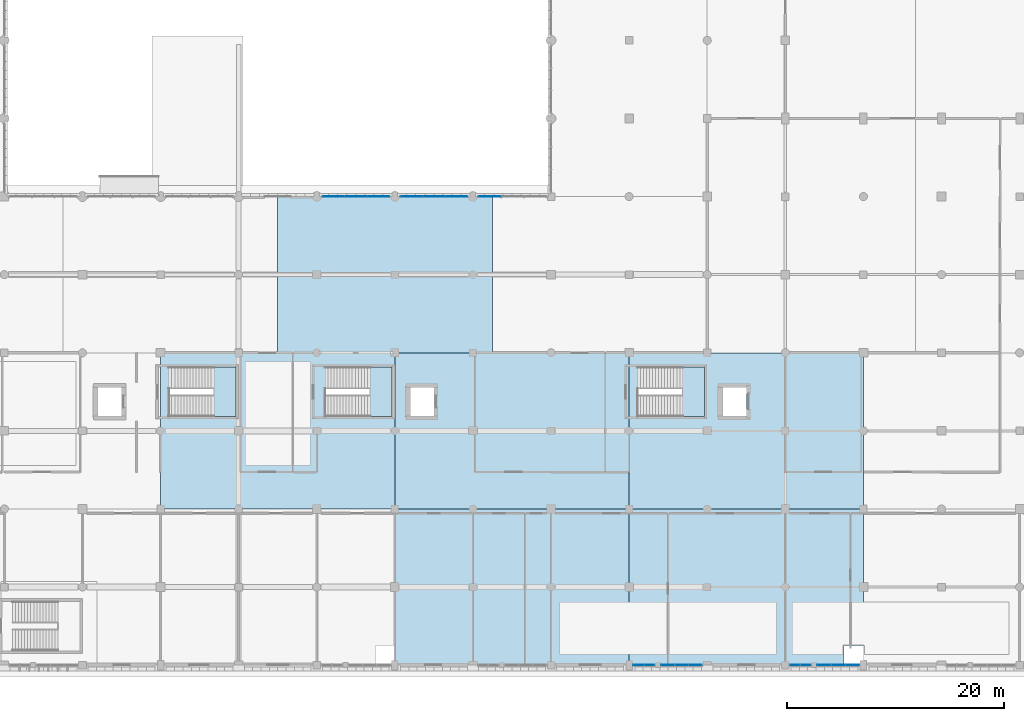
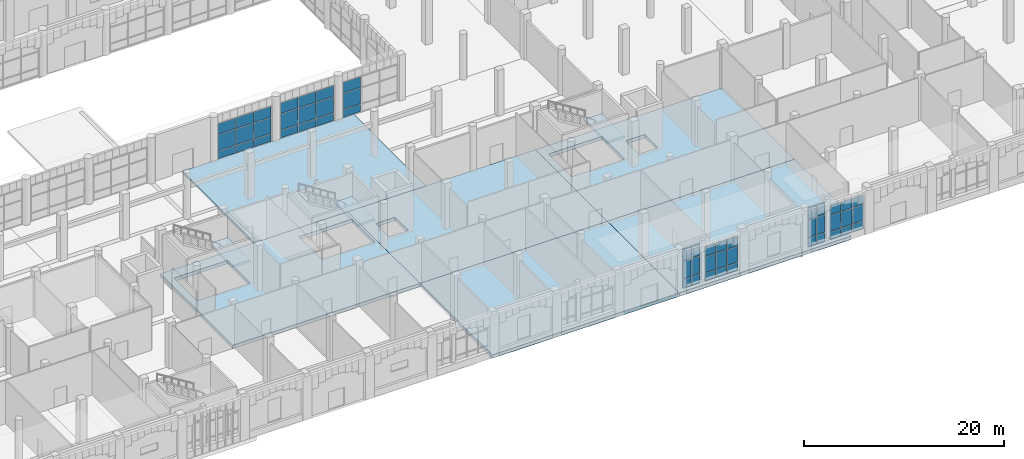
# One storey, part 40 of 85: 51 plates, 9 slabs, 10 elements without a shape of their own.
"""IFC4 building model written with IfcOpenShell, lengths in metres."""

from ifc_helpers import new_model, si_unit, direction, frame, origin, origin_2d, place, context, subcontext, project, spatial, polyline, rectangle, outline, extrude, material, layer, layer_set, type_object, element, aggregate, save


model = new_model("IFC4")

# Units and contexts
model_context = context("Model", 3, precision=1e-05, world=origin(), true_north=direction((0.0, 1.0)))
body_context = subcontext(model_context, "Body", "Model", "MODEL_VIEW")
ifc_project = project(units=[si_unit("LENGTHUNIT", "METRE"), si_unit("AREAUNIT", "SQUARE_METRE"), si_unit("VOLUMEUNIT", "CUBIC_METRE"), si_unit("PLANEANGLEUNIT", "RADIAN"), si_unit("MASSUNIT", "GRAM", prefix="KILO")], contexts=[model_context])

# Site, building, storey
site_placement = place(None, origin())
site = spatial("IfcSite", under=ifc_project, at=site_placement, CompositionType="ELEMENT")
building_placement = place(site_placement, origin())
building = spatial("IfcBuilding", under=site, at=building_placement, Name="Sardonyx Promenade Sports Hall", CompositionType="ELEMENT")
storey_placement = place(building_placement, origin())
storey = spatial("IfcBuildingStorey", under=building, at=storey_placement, Name="L00", CompositionType="ELEMENT", Elevation=0.0)

# Curtain wall, plates
ifc_material_1 = material(Name="Aluminium 6063-T6", Category="aluminium")
curtain_wall_type_1 = type_object("IfcCurtainWallType", Name="CW_South_L00_640", PredefinedType="USERDEFINED", material=ifc_material_1)
curtain_wall_1_placement = place(storey_placement, origin())
curtain_wall_1 = element("IfcCurtainWall", 1, at=curtain_wall_1_placement, inside=storey, type_object=curtain_wall_type_1, Name="Curtain wall CW11 cw:L00:005", ObjectType="CURTAIN WALL", PredefinedType="USERDEFINED")
ifc_material_2 = material(Name="Double-glazed acoustic IGU 32 mm", Category="glass")
ifc_layer_1 = layer(ifc_material_2, 0.031982421875)
ifc_layer_set_1 = layer_set([ifc_layer_1], Name="CW_Pan_Glz_32")
plate_type_1 = type_object("IfcPlateType", Name="CW_Pan_Glz_32", PredefinedType="CURTAIN_PANEL", material=ifc_layer_set_1)
plate_1_placement = place(storey_placement, frame((121.392578125, 0.0, 0.419921875), z_axis=(0.0, 0.0, 1.0), x_axis=(-1.0, 0.0, 0.0)))
plate_1 = element("IfcPlate", 2, at=plate_1_placement, type_object=plate_type_1, Name="Curtain panel CP02 cw:L00:005 #1", PredefinedType="CURTAIN_PANEL", context=body_context, shape_type="SweptSolid", body=[
    extrude(rectangle(XDim=1.235107421875, YDim=0.031982421875, at=origin_2d()), origin(), (0.0, 0.0, 1.0), 0.945068359375),
])
plate_2_placement = place(storey_placement, frame((121.392578125, 0.0, 1.43505859375), z_axis=(0.0, 0.0, 1.0), x_axis=(-1.0, 0.0, 0.0)))
plate_2 = element("IfcPlate", 3, at=plate_2_placement, type_object=plate_type_1, Name="Curtain panel CP02 cw:L00:005 #2", PredefinedType="CURTAIN_PANEL", context=body_context, shape_type="SweptSolid", body=[
    extrude(rectangle(XDim=1.235107421875, YDim=0.031982421875, at=origin_2d()), origin(), (0.0, 0.0, 1.0), 1.929931640625),
])
plate_3_placement = place(storey_placement, frame((121.392578125, 0.0, 3.43505859375), z_axis=(0.0, 0.0, 1.0), x_axis=(-1.0, 0.0, 0.0)))
plate_3 = element("IfcPlate", 4, at=plate_3_placement, type_object=plate_type_1, Name="Curtain panel CP02 cw:L00:005 #3", PredefinedType="CURTAIN_PANEL", context=body_context, shape_type="SweptSolid", body=[
    extrude(rectangle(XDim=1.235107421875, YDim=0.031982421875, at=origin_2d()), origin(), (0.0, 0.0, 1.0), 1.14501953125),
])
plate_4_placement = place(storey_placement, frame((120.08740234375, 0.0, 0.419921875), z_axis=(0.0, 0.0, 1.0), x_axis=(-1.0, 0.0, 0.0)))
plate_4 = element("IfcPlate", 5, at=plate_4_placement, type_object=plate_type_1, Name="Curtain panel CP02 cw:L00:005 #4", PredefinedType="CURTAIN_PANEL", context=body_context, shape_type="SweptSolid", body=[
    extrude(rectangle(XDim=1.235107421875, YDim=0.031982421875, at=origin_2d()), origin(), (0.0, 0.0, 1.0), 0.945068359375),
])
plate_5_placement = place(storey_placement, frame((120.08740234375, 0.0, 1.43505859375), z_axis=(0.0, 0.0, 1.0), x_axis=(-1.0, 0.0, 0.0)))
plate_5 = element("IfcPlate", 6, at=plate_5_placement, type_object=plate_type_1, Name="Curtain panel CP02 cw:L00:005 #5", PredefinedType="CURTAIN_PANEL", context=body_context, shape_type="SweptSolid", body=[
    extrude(rectangle(XDim=1.235107421875, YDim=0.031982421875, at=origin_2d()), origin(), (0.0, 0.0, 1.0), 1.929931640625),
])
plate_6_placement = place(storey_placement, frame((120.08740234375, 0.0, 3.43505859375), z_axis=(0.0, 0.0, 1.0), x_axis=(-1.0, 0.0, 0.0)))
plate_6 = element("IfcPlate", 7, at=plate_6_placement, type_object=plate_type_1, Name="Curtain panel CP02 cw:L00:005 #6", PredefinedType="CURTAIN_PANEL", context=body_context, shape_type="SweptSolid", body=[
    extrude(rectangle(XDim=1.235107421875, YDim=0.031982421875, at=origin_2d()), origin(), (0.0, 0.0, 1.0), 1.14501953125),
])
plate_7_placement = place(storey_placement, frame((118.782470703125, 0.0, 0.419921875), z_axis=(0.0, 0.0, 1.0), x_axis=(-1.0, 0.0, 0.0)))
plate_7 = element("IfcPlate", 8, at=plate_7_placement, type_object=plate_type_1, Name="Curtain panel CP02 cw:L00:005 #7", PredefinedType="CURTAIN_PANEL", context=body_context, shape_type="SweptSolid", body=[
    extrude(rectangle(XDim=1.235107421875, YDim=0.031982421875, at=origin_2d()), origin(), (0.0, 0.0, 1.0), 0.945068359375),
])
plate_8_placement = place(storey_placement, frame((118.782470703125, 0.0, 1.43505859375), z_axis=(0.0, 0.0, 1.0), x_axis=(-1.0, 0.0, 0.0)))
plate_8 = element("IfcPlate", 9, at=plate_8_placement, type_object=plate_type_1, Name="Curtain panel CP02 cw:L00:005 #8", PredefinedType="CURTAIN_PANEL", context=body_context, shape_type="SweptSolid", body=[
    extrude(rectangle(XDim=1.235107421875, YDim=0.031982421875, at=origin_2d()), origin(), (0.0, 0.0, 1.0), 1.929931640625),
])
plate_9_placement = place(storey_placement, frame((118.782470703125, 0.0, 3.43505859375), z_axis=(0.0, 0.0, 1.0), x_axis=(-1.0, 0.0, 0.0)))
plate_9 = element("IfcPlate", 10, at=plate_9_placement, type_object=plate_type_1, Name="Curtain panel CP02 cw:L00:005 #9", PredefinedType="CURTAIN_PANEL", context=body_context, shape_type="SweptSolid", body=[
    extrude(rectangle(XDim=1.235107421875, YDim=0.031982421875, at=origin_2d()), origin(), (0.0, 0.0, 1.0), 1.14501953125),
])
aggregate(curtain_wall_1, [plate_1, plate_2, plate_3, plate_4, plate_5, plate_6, plate_7, plate_8, plate_9])

curtain_wall_2_placement = place(storey_placement, origin())
curtain_wall_2 = element("IfcCurtainWall", 11, at=curtain_wall_2_placement, inside=storey, type_object=curtain_wall_type_1, Name="Curtain wall CW11 cw:L00:007", ObjectType="CURTAIN WALL", PredefinedType="USERDEFINED")
plate_10_placement = place(storey_placement, frame((106.9091796875, 0.0, 0.419921875), z_axis=(0.0, 0.0, 1.0), x_axis=(-1.0, 0.0, 0.0)))
plate_10 = element("IfcPlate", 12, at=plate_10_placement, type_object=plate_type_1, Name="Curtain panel CP02 cw:L00:007 #1", PredefinedType="CURTAIN_PANEL", context=body_context, shape_type="SweptSolid", body=[
    extrude(rectangle(XDim=1.20166015625, YDim=0.031982421875, at=origin_2d()), origin(), (0.0, 0.0, 1.0), 0.945068359375),
])
plate_11_placement = place(storey_placement, frame((106.9091796875, 0.0, 1.43505859375), z_axis=(0.0, 0.0, 1.0), x_axis=(-1.0, 0.0, 0.0)))
plate_11 = element("IfcPlate", 13, at=plate_11_placement, type_object=plate_type_1, Name="Curtain panel CP02 cw:L00:007 #2", PredefinedType="CURTAIN_PANEL", context=body_context, shape_type="SweptSolid", body=[
    extrude(rectangle(XDim=1.20166015625, YDim=0.031982421875, at=origin_2d()), origin(), (0.0, 0.0, 1.0), 1.929931640625),
])
plate_12_placement = place(storey_placement, frame((106.9091796875, 0.0, 3.43505859375), z_axis=(0.0, 0.0, 1.0), x_axis=(-1.0, 0.0, 0.0)))
plate_12 = element("IfcPlate", 14, at=plate_12_placement, type_object=plate_type_1, Name="Curtain panel CP02 cw:L00:007 #3", PredefinedType="CURTAIN_PANEL", context=body_context, shape_type="SweptSolid", body=[
    extrude(rectangle(XDim=1.20166015625, YDim=0.031982421875, at=origin_2d()), origin(), (0.0, 0.0, 1.0), 1.14501953125),
])
plate_13_placement = place(storey_placement, frame((105.637451171875, 0.0, 0.419921875), z_axis=(0.0, 0.0, 1.0), x_axis=(-1.0, 0.0, 0.0)))
plate_13 = element("IfcPlate", 15, at=plate_13_placement, type_object=plate_type_1, Name="Curtain panel CP02 cw:L00:007 #4", PredefinedType="CURTAIN_PANEL", context=body_context, shape_type="SweptSolid", body=[
    extrude(rectangle(XDim=1.20166015625, YDim=0.031982421875, at=origin_2d()), origin(), (0.0, 0.0, 1.0), 0.945068359375),
])
plate_14_placement = place(storey_placement, frame((105.637451171875, 0.0, 1.43505859375), z_axis=(0.0, 0.0, 1.0), x_axis=(-1.0, 0.0, 0.0)))
plate_14 = element("IfcPlate", 16, at=plate_14_placement, type_object=plate_type_1, Name="Curtain panel CP02 cw:L00:007 #5", PredefinedType="CURTAIN_PANEL", context=body_context, shape_type="SweptSolid", body=[
    extrude(rectangle(XDim=1.20166015625, YDim=0.031982421875, at=origin_2d()), origin(), (0.0, 0.0, 1.0), 1.929931640625),
])
plate_15_placement = place(storey_placement, frame((105.637451171875, 0.0, 3.43505859375), z_axis=(0.0, 0.0, 1.0), x_axis=(-1.0, 0.0, 0.0)))
plate_15 = element("IfcPlate", 17, at=plate_15_placement, type_object=plate_type_1, Name="Curtain panel CP02 cw:L00:007 #6", PredefinedType="CURTAIN_PANEL", context=body_context, shape_type="SweptSolid", body=[
    extrude(rectangle(XDim=1.20166015625, YDim=0.031982421875, at=origin_2d()), origin(), (0.0, 0.0, 1.0), 1.14501953125),
])
plate_16_placement = place(storey_placement, frame((104.36572265625, 0.0, 0.419921875), z_axis=(0.0, 0.0, 1.0), x_axis=(-1.0, 0.0, 0.0)))
plate_16 = element("IfcPlate", 18, at=plate_16_placement, type_object=plate_type_1, Name="Curtain panel CP02 cw:L00:007 #7", PredefinedType="CURTAIN_PANEL", context=body_context, shape_type="SweptSolid", body=[
    extrude(rectangle(XDim=1.20166015625, YDim=0.031982421875, at=origin_2d()), origin(), (0.0, 0.0, 1.0), 0.945068359375),
])
plate_17_placement = place(storey_placement, frame((104.36572265625, 0.0, 1.43505859375), z_axis=(0.0, 0.0, 1.0), x_axis=(-1.0, 0.0, 0.0)))
plate_17 = element("IfcPlate", 19, at=plate_17_placement, type_object=plate_type_1, Name="Curtain panel CP02 cw:L00:007 #8", PredefinedType="CURTAIN_PANEL", context=body_context, shape_type="SweptSolid", body=[
    extrude(rectangle(XDim=1.20166015625, YDim=0.031982421875, at=origin_2d()), origin(), (0.0, 0.0, 1.0), 1.929931640625),
])
plate_18_placement = place(storey_placement, frame((104.36572265625, 0.0, 3.43505859375), z_axis=(0.0, 0.0, 1.0), x_axis=(-1.0, 0.0, 0.0)))
plate_18 = element("IfcPlate", 20, at=plate_18_placement, type_object=plate_type_1, Name="Curtain panel CP02 cw:L00:007 #9", PredefinedType="CURTAIN_PANEL", context=body_context, shape_type="SweptSolid", body=[
    extrude(rectangle(XDim=1.20166015625, YDim=0.031982421875, at=origin_2d()), origin(), (0.0, 0.0, 1.0), 1.14501953125),
])
aggregate(curtain_wall_2, [plate_10, plate_11, plate_12, plate_13, plate_14, plate_15, plate_16, plate_17, plate_18])

ifc_material_3 = material(Name="Aluminium 6063-T6", Category="aluminium")
curtain_wall_type_2 = type_object("IfcCurtainWallType", Name="CW_Riwaq_L00_640", PredefinedType="USERDEFINED", material=ifc_material_3)
curtain_wall_3_placement = place(storey_placement, origin())
curtain_wall_3 = element("IfcCurtainWall", 21, at=curtain_wall_3_placement, inside=storey, type_object=curtain_wall_type_2, Name="Curtain wall CW17 cw:L00:114", ObjectType="CURTAIN WALL", PredefinedType="USERDEFINED")
plate_19_placement = place(storey_placement, frame((73.534912109375, 43.199951171875, 0.06494140625), z_axis=(0.0, 0.0, 1.0), x_axis=(1.0, 0.0, 0.0)))
plate_19 = element("IfcPlate", 22, at=plate_19_placement, type_object=plate_type_1, Name="Curtain panel CP02 cw:L00:114 #1", PredefinedType="CURTAIN_PANEL", context=body_context, shape_type="SweptSolid", body=[
    extrude(rectangle(XDim=2.0, YDim=0.031982421875, at=origin_2d()), origin(), (0.0, 0.0, 1.0), 0.902587890625),
])
plate_20_placement = place(storey_placement, frame((73.534912109375, 43.199951171875, 1.032470703125), z_axis=(0.0, 0.0, 1.0), x_axis=(1.0, 0.0, 0.0)))
plate_20 = element("IfcPlate", 23, at=plate_20_placement, type_object=plate_type_1, Name="Curtain panel CP02 cw:L00:114 #2", PredefinedType="CURTAIN_PANEL", context=body_context, shape_type="SweptSolid", body=[
    extrude(rectangle(XDim=2.0, YDim=0.031982421875, at=origin_2d()), origin(), (0.0, 0.0, 1.0), 1.93505859375),
])
plate_21_placement = place(storey_placement, frame((73.534912109375, 43.199951171875, 3.03271484375), z_axis=(0.0, 0.0, 1.0), x_axis=(1.0, 0.0, 0.0)))
plate_21 = element("IfcPlate", 24, at=plate_21_placement, type_object=plate_type_1, Name="Curtain panel CP02 cw:L00:114 #3", PredefinedType="CURTAIN_PANEL", context=body_context, shape_type="SweptSolid", body=[
    extrude(rectangle(XDim=2.0, YDim=0.031982421875, at=origin_2d()), origin(), (0.0, 0.0, 1.0), 1.302490234375),
])
plate_22_placement = place(storey_placement, frame((75.60009765625, 43.199951171875, 0.06494140625), z_axis=(0.0, 0.0, 1.0), x_axis=(1.0, 0.0, 0.0)))
plate_22 = element("IfcPlate", 25, at=plate_22_placement, type_object=plate_type_1, Name="Curtain panel CP02 cw:L00:114 #4", PredefinedType="CURTAIN_PANEL", context=body_context, shape_type="SweptSolid", body=[
    extrude(rectangle(XDim=2.0, YDim=0.031982421875, at=origin_2d()), origin(), (0.0, 0.0, 1.0), 0.902587890625),
])
plate_23_placement = place(storey_placement, frame((75.60009765625, 43.199951171875, 1.032470703125), z_axis=(0.0, 0.0, 1.0), x_axis=(1.0, 0.0, 0.0)))
plate_23 = element("IfcPlate", 26, at=plate_23_placement, type_object=plate_type_1, Name="Curtain panel CP02 cw:L00:114 #5", PredefinedType="CURTAIN_PANEL", context=body_context, shape_type="SweptSolid", body=[
    extrude(rectangle(XDim=2.0, YDim=0.031982421875, at=origin_2d()), origin(), (0.0, 0.0, 1.0), 1.93505859375),
])
plate_24_placement = place(storey_placement, frame((75.60009765625, 43.199951171875, 3.03271484375), z_axis=(0.0, 0.0, 1.0), x_axis=(1.0, 0.0, 0.0)))
plate_24 = element("IfcPlate", 27, at=plate_24_placement, type_object=plate_type_1, Name="Curtain panel CP02 cw:L00:114 #6", PredefinedType="CURTAIN_PANEL", context=body_context, shape_type="SweptSolid", body=[
    extrude(rectangle(XDim=2.0, YDim=0.031982421875, at=origin_2d()), origin(), (0.0, 0.0, 1.0), 1.302490234375),
])
plate_25_placement = place(storey_placement, frame((77.6650390625, 43.199951171875, 0.06494140625), z_axis=(0.0, 0.0, 1.0), x_axis=(1.0, 0.0, 0.0)))
plate_25 = element("IfcPlate", 28, at=plate_25_placement, type_object=plate_type_1, Name="Curtain panel CP02 cw:L00:114 #7", PredefinedType="CURTAIN_PANEL", context=body_context, shape_type="SweptSolid", body=[
    extrude(rectangle(XDim=2.0, YDim=0.031982421875, at=origin_2d()), origin(), (0.0, 0.0, 1.0), 0.902587890625),
])
plate_26_placement = place(storey_placement, frame((77.6650390625, 43.199951171875, 1.032470703125), z_axis=(0.0, 0.0, 1.0), x_axis=(1.0, 0.0, 0.0)))
plate_26 = element("IfcPlate", 29, at=plate_26_placement, type_object=plate_type_1, Name="Curtain panel CP02 cw:L00:114 #8", PredefinedType="CURTAIN_PANEL", context=body_context, shape_type="SweptSolid", body=[
    extrude(rectangle(XDim=2.0, YDim=0.031982421875, at=origin_2d()), origin(), (0.0, 0.0, 1.0), 1.93505859375),
])
plate_27_placement = place(storey_placement, frame((77.6650390625, 43.199951171875, 3.03271484375), z_axis=(0.0, 0.0, 1.0), x_axis=(1.0, 0.0, 0.0)))
plate_27 = element("IfcPlate", 30, at=plate_27_placement, type_object=plate_type_1, Name="Curtain panel CP02 cw:L00:114 #9", PredefinedType="CURTAIN_PANEL", context=body_context, shape_type="SweptSolid", body=[
    extrude(rectangle(XDim=2.0, YDim=0.031982421875, at=origin_2d()), origin(), (0.0, 0.0, 1.0), 1.302490234375),
])
aggregate(curtain_wall_3, [plate_19, plate_20, plate_21, plate_22, plate_23, plate_24, plate_25, plate_26, plate_27])

curtain_wall_4_placement = place(storey_placement, origin())
curtain_wall_4 = element("IfcCurtainWall", 31, at=curtain_wall_4_placement, inside=storey, type_object=curtain_wall_type_2, Name="Curtain wall CW17 cw:L00:116", ObjectType="CURTAIN WALL", PredefinedType="USERDEFINED")
plate_28_placement = place(storey_placement, frame((80.735107421875, 43.199951171875, 0.06494140625), z_axis=(0.0, 0.0, 1.0), x_axis=(1.0, 0.0, 0.0)))
plate_28 = element("IfcPlate", 32, at=plate_28_placement, type_object=plate_type_1, Name="Curtain panel CP02 cw:L00:116 #1", PredefinedType="CURTAIN_PANEL", context=body_context, shape_type="SweptSolid", body=[
    extrude(rectangle(XDim=2.0, YDim=0.031982421875, at=origin_2d()), origin(), (0.0, 0.0, 1.0), 0.902587890625),
])
plate_29_placement = place(storey_placement, frame((80.735107421875, 43.199951171875, 1.032470703125), z_axis=(0.0, 0.0, 1.0), x_axis=(1.0, 0.0, 0.0)))
plate_29 = element("IfcPlate", 33, at=plate_29_placement, type_object=plate_type_1, Name="Curtain panel CP02 cw:L00:116 #2", PredefinedType="CURTAIN_PANEL", context=body_context, shape_type="SweptSolid", body=[
    extrude(rectangle(XDim=2.0, YDim=0.031982421875, at=origin_2d()), origin(), (0.0, 0.0, 1.0), 1.93505859375),
])
plate_30_placement = place(storey_placement, frame((80.735107421875, 43.199951171875, 3.03271484375), z_axis=(0.0, 0.0, 1.0), x_axis=(1.0, 0.0, 0.0)))
plate_30 = element("IfcPlate", 34, at=plate_30_placement, type_object=plate_type_1, Name="Curtain panel CP02 cw:L00:116 #3", PredefinedType="CURTAIN_PANEL", context=body_context, shape_type="SweptSolid", body=[
    extrude(rectangle(XDim=2.0, YDim=0.031982421875, at=origin_2d()), origin(), (0.0, 0.0, 1.0), 1.302490234375),
])
plate_31_placement = place(storey_placement, frame((82.800048828125, 43.199951171875, 0.06494140625), z_axis=(0.0, 0.0, 1.0), x_axis=(1.0, 0.0, 0.0)))
plate_31 = element("IfcPlate", 35, at=plate_31_placement, type_object=plate_type_1, Name="Curtain panel CP02 cw:L00:116 #4", PredefinedType="CURTAIN_PANEL", context=body_context, shape_type="SweptSolid", body=[
    extrude(rectangle(XDim=2.0, YDim=0.031982421875, at=origin_2d()), origin(), (0.0, 0.0, 1.0), 0.902587890625),
])
plate_32_placement = place(storey_placement, frame((82.800048828125, 43.199951171875, 1.032470703125), z_axis=(0.0, 0.0, 1.0), x_axis=(1.0, 0.0, 0.0)))
plate_32 = element("IfcPlate", 36, at=plate_32_placement, type_object=plate_type_1, Name="Curtain panel CP02 cw:L00:116 #5", PredefinedType="CURTAIN_PANEL", context=body_context, shape_type="SweptSolid", body=[
    extrude(rectangle(XDim=2.0, YDim=0.031982421875, at=origin_2d()), origin(), (0.0, 0.0, 1.0), 1.93505859375),
])
plate_33_placement = place(storey_placement, frame((82.800048828125, 43.199951171875, 3.03271484375), z_axis=(0.0, 0.0, 1.0), x_axis=(1.0, 0.0, 0.0)))
plate_33 = element("IfcPlate", 37, at=plate_33_placement, type_object=plate_type_1, Name="Curtain panel CP02 cw:L00:116 #6", PredefinedType="CURTAIN_PANEL", context=body_context, shape_type="SweptSolid", body=[
    extrude(rectangle(XDim=2.0, YDim=0.031982421875, at=origin_2d()), origin(), (0.0, 0.0, 1.0), 1.302490234375),
])
plate_34_placement = place(storey_placement, frame((84.864990234375, 43.199951171875, 0.06494140625), z_axis=(0.0, 0.0, 1.0), x_axis=(1.0, 0.0, 0.0)))
plate_34 = element("IfcPlate", 38, at=plate_34_placement, type_object=plate_type_1, Name="Curtain panel CP02 cw:L00:116 #7", PredefinedType="CURTAIN_PANEL", context=body_context, shape_type="SweptSolid", body=[
    extrude(rectangle(XDim=2.0, YDim=0.031982421875, at=origin_2d()), origin(), (0.0, 0.0, 1.0), 0.902587890625),
])
plate_35_placement = place(storey_placement, frame((84.864990234375, 43.199951171875, 1.032470703125), z_axis=(0.0, 0.0, 1.0), x_axis=(1.0, 0.0, 0.0)))
plate_35 = element("IfcPlate", 39, at=plate_35_placement, type_object=plate_type_1, Name="Curtain panel CP02 cw:L00:116 #8", PredefinedType="CURTAIN_PANEL", context=body_context, shape_type="SweptSolid", body=[
    extrude(rectangle(XDim=2.0, YDim=0.031982421875, at=origin_2d()), origin(), (0.0, 0.0, 1.0), 1.93505859375),
])
plate_36_placement = place(storey_placement, frame((84.864990234375, 43.199951171875, 3.03271484375), z_axis=(0.0, 0.0, 1.0), x_axis=(1.0, 0.0, 0.0)))
plate_36 = element("IfcPlate", 40, at=plate_36_placement, type_object=plate_type_1, Name="Curtain panel CP02 cw:L00:116 #9", PredefinedType="CURTAIN_PANEL", context=body_context, shape_type="SweptSolid", body=[
    extrude(rectangle(XDim=2.0, YDim=0.031982421875, at=origin_2d()), origin(), (0.0, 0.0, 1.0), 1.302490234375),
])
aggregate(curtain_wall_4, [plate_28, plate_29, plate_30, plate_31, plate_32, plate_33, plate_34, plate_35, plate_36])

curtain_wall_5_placement = place(storey_placement, origin())
curtain_wall_5 = element("IfcCurtainWall", 41, at=curtain_wall_5_placement, inside=storey, type_object=curtain_wall_type_2, Name="Curtain wall CW17 cw:L00:118", ObjectType="CURTAIN WALL", PredefinedType="USERDEFINED")
plate_37_placement = place(storey_placement, frame((87.95166015625, 43.199951171875, 0.06494140625), z_axis=(0.0, 0.0, 1.0), x_axis=(1.0, 0.0, 0.0)))
plate_37 = element("IfcPlate", 42, at=plate_37_placement, type_object=plate_type_1, Name="Curtain panel CP02 cw:L00:118 #1", PredefinedType="CURTAIN_PANEL", context=body_context, shape_type="SweptSolid", body=[
    extrude(rectangle(XDim=2.033447265625, YDim=0.031982421875, at=origin_2d()), origin(), (0.0, 0.0, 1.0), 0.902587890625),
])
plate_38_placement = place(storey_placement, frame((87.95166015625, 43.199951171875, 1.032470703125), z_axis=(0.0, 0.0, 1.0), x_axis=(1.0, 0.0, 0.0)))
plate_38 = element("IfcPlate", 43, at=plate_38_placement, type_object=plate_type_1, Name="Curtain panel CP02 cw:L00:118 #2", PredefinedType="CURTAIN_PANEL", context=body_context, shape_type="SweptSolid", body=[
    extrude(rectangle(XDim=2.033447265625, YDim=0.031982421875, at=origin_2d()), origin(), (0.0, 0.0, 1.0), 1.93505859375),
])
plate_39_placement = place(storey_placement, frame((87.95166015625, 43.199951171875, 3.03271484375), z_axis=(0.0, 0.0, 1.0), x_axis=(1.0, 0.0, 0.0)))
plate_39 = element("IfcPlate", 44, at=plate_39_placement, type_object=plate_type_1, Name="Curtain panel CP02 cw:L00:118 #3", PredefinedType="CURTAIN_PANEL", context=body_context, shape_type="SweptSolid", body=[
    extrude(rectangle(XDim=2.033447265625, YDim=0.031982421875, at=origin_2d()), origin(), (0.0, 0.0, 1.0), 1.302490234375),
])
aggregate(curtain_wall_5, [plate_37, plate_38, plate_39])

ifc_material_4 = material(Name="Aluminium 6063-T6", Category="aluminium")
curtain_wall_type_3 = type_object("IfcCurtainWallType", Name="CW_Foyer_Pilaster_L00", PredefinedType="USERDEFINED", material=ifc_material_4)
curtain_wall_6_placement = place(storey_placement, origin())
curtain_wall_6 = element("IfcCurtainWall", 45, at=curtain_wall_6_placement, inside=storey, type_object=curtain_wall_type_3, Name="Curtain wall CW20 cw:L00:006", ObjectType="CURTAIN WALL", PredefinedType="USERDEFINED")
ifc_material_5 = material(Name="Triple-glazed harbour solar IGU 40 mm", Category="glass")
ifc_layer_2 = layer(ifc_material_5, 0.0400390625)
ifc_layer_set_2 = layer_set([ifc_layer_2], Name="CW_Pan_Glz_40")
plate_type_2 = type_object("IfcPlateType", Name="CW_Pan_Glz_40", PredefinedType="CURTAIN_PANEL", material=ifc_layer_set_2)
plate_40_placement = place(storey_placement, frame((117.077392578125, 0.0, 0.425048828125), z_axis=(0.0, 0.0, 1.0), x_axis=(-1.0, 0.0, 0.0)))
plate_40 = element("IfcPlate", 46, at=plate_40_placement, type_object=plate_type_2, Name="Curtain panel CP04 cw:L00:006 #1", PredefinedType="CURTAIN_PANEL", context=body_context, shape_type="SweptSolid", body=[
    extrude(rectangle(XDim=0.905029296875, YDim=0.0400390625, at=origin_2d()), origin(), (0.0, 0.0, 1.0), 1.08740234375),
])
plate_41_placement = place(storey_placement, frame((117.077392578125, 0.0, 1.58740234375), z_axis=(0.0, 0.0, 1.0), x_axis=(-1.0, 0.0, 0.0)))
plate_41 = element("IfcPlate", 47, at=plate_41_placement, type_object=plate_type_2, Name="Curtain panel CP04 cw:L00:006 #2", PredefinedType="CURTAIN_PANEL", context=body_context, shape_type="SweptSolid", body=[
    extrude(rectangle(XDim=0.905029296875, YDim=0.0400390625, at=origin_2d()), origin(), (0.0, 0.0, 1.0), 2.125),
])
plate_42_placement = place(storey_placement, frame((117.077392578125, 0.0, 3.78759765625), z_axis=(0.0, 0.0, 1.0), x_axis=(-1.0, 0.0, 0.0)))
plate_42 = element("IfcPlate", 48, at=plate_42_placement, type_object=plate_type_2, Name="Curtain panel CP04 cw:L00:006 #3", PredefinedType="CURTAIN_PANEL", context=body_context, shape_type="SweptSolid", body=[
    extrude(rectangle(XDim=0.905029296875, YDim=0.0400390625, at=origin_2d()), origin(), (0.0, 0.0, 1.0), 1.4375),
])
plate_43_placement = place(storey_placement, frame((116.097412109375, 0.0, 0.425048828125), z_axis=(0.0, 0.0, 1.0), x_axis=(-1.0, 0.0, 0.0)))
plate_43 = element("IfcPlate", 49, at=plate_43_placement, type_object=plate_type_2, Name="Curtain panel CP04 cw:L00:006 #4", PredefinedType="CURTAIN_PANEL", context=body_context, shape_type="SweptSolid", body=[
    extrude(rectangle(XDim=0.905029296875, YDim=0.0400390625, at=origin_2d()), origin(), (0.0, 0.0, 1.0), 1.08740234375),
])
plate_44_placement = place(storey_placement, frame((116.097412109375, 0.0, 1.58740234375), z_axis=(0.0, 0.0, 1.0), x_axis=(-1.0, 0.0, 0.0)))
plate_44 = element("IfcPlate", 50, at=plate_44_placement, type_object=plate_type_2, Name="Curtain panel CP04 cw:L00:006 #5", PredefinedType="CURTAIN_PANEL", context=body_context, shape_type="SweptSolid", body=[
    extrude(rectangle(XDim=0.905029296875, YDim=0.0400390625, at=origin_2d()), origin(), (0.0, 0.0, 1.0), 2.125),
])
plate_45_placement = place(storey_placement, frame((116.097412109375, 0.0, 3.78759765625), z_axis=(0.0, 0.0, 1.0), x_axis=(-1.0, 0.0, 0.0)))
plate_45 = element("IfcPlate", 51, at=plate_45_placement, type_object=plate_type_2, Name="Curtain panel CP04 cw:L00:006 #6", PredefinedType="CURTAIN_PANEL", context=body_context, shape_type="SweptSolid", body=[
    extrude(rectangle(XDim=0.905029296875, YDim=0.0400390625, at=origin_2d()), origin(), (0.0, 0.0, 1.0), 1.4375),
])
aggregate(curtain_wall_6, [plate_40, plate_41, plate_42, plate_43, plate_44, plate_45])

curtain_wall_7_placement = place(storey_placement, origin())
curtain_wall_7 = element("IfcCurtainWall", 52, at=curtain_wall_7_placement, inside=storey, type_object=curtain_wall_type_3, Name="Curtain wall CW20 cw:L00:008", ObjectType="CURTAIN WALL", PredefinedType="USERDEFINED")
plate_46_placement = place(storey_placement, frame((102.6650390625, 0.0, 0.425048828125), z_axis=(0.0, 0.0, 1.0), x_axis=(-1.0, 0.0, 0.0)))
plate_46 = element("IfcPlate", 53, at=plate_46_placement, type_object=plate_type_2, Name="Curtain panel CP04 cw:L00:008 #1", PredefinedType="CURTAIN_PANEL", context=body_context, shape_type="SweptSolid", body=[
    extrude(rectangle(XDim=0.929931640625, YDim=0.0400390625, at=origin_2d()), origin(), (0.0, 0.0, 1.0), 1.08740234375),
])
plate_47_placement = place(storey_placement, frame((102.6650390625, 0.0, 1.58740234375), z_axis=(0.0, 0.0, 1.0), x_axis=(-1.0, 0.0, 0.0)))
plate_47 = element("IfcPlate", 54, at=plate_47_placement, type_object=plate_type_2, Name="Curtain panel CP04 cw:L00:008 #2", PredefinedType="CURTAIN_PANEL", context=body_context, shape_type="SweptSolid", body=[
    extrude(rectangle(XDim=0.929931640625, YDim=0.0400390625, at=origin_2d()), origin(), (0.0, 0.0, 1.0), 2.125),
])
plate_48_placement = place(storey_placement, frame((102.6650390625, 0.0, 3.78759765625), z_axis=(0.0, 0.0, 1.0), x_axis=(-1.0, 0.0, 0.0)))
plate_48 = element("IfcPlate", 55, at=plate_48_placement, type_object=plate_type_2, Name="Curtain panel CP04 cw:L00:008 #3", PredefinedType="CURTAIN_PANEL", context=body_context, shape_type="SweptSolid", body=[
    extrude(rectangle(XDim=0.929931640625, YDim=0.0400390625, at=origin_2d()), origin(), (0.0, 0.0, 1.0), 1.4375),
])
plate_49_placement = place(storey_placement, frame((101.659912109375, 0.0, 0.425048828125), z_axis=(0.0, 0.0, 1.0), x_axis=(-1.0, 0.0, 0.0)))
plate_49 = element("IfcPlate", 56, at=plate_49_placement, type_object=plate_type_2, Name="Curtain panel CP04 cw:L00:008 #4", PredefinedType="CURTAIN_PANEL", context=body_context, shape_type="SweptSolid", body=[
    extrude(rectangle(XDim=0.929931640625, YDim=0.0400390625, at=origin_2d()), origin(), (0.0, 0.0, 1.0), 1.08740234375),
])
plate_50_placement = place(storey_placement, frame((101.659912109375, 0.0, 1.58740234375), z_axis=(0.0, 0.0, 1.0), x_axis=(-1.0, 0.0, 0.0)))
plate_50 = element("IfcPlate", 57, at=plate_50_placement, type_object=plate_type_2, Name="Curtain panel CP04 cw:L00:008 #5", PredefinedType="CURTAIN_PANEL", context=body_context, shape_type="SweptSolid", body=[
    extrude(rectangle(XDim=0.929931640625, YDim=0.0400390625, at=origin_2d()), origin(), (0.0, 0.0, 1.0), 2.125),
])
plate_51_placement = place(storey_placement, frame((101.659912109375, 0.0, 3.78759765625), z_axis=(0.0, 0.0, 1.0), x_axis=(-1.0, 0.0, 0.0)))
plate_51 = element("IfcPlate", 58, at=plate_51_placement, type_object=plate_type_2, Name="Curtain panel CP04 cw:L00:008 #6", PredefinedType="CURTAIN_PANEL", context=body_context, shape_type="SweptSolid", body=[
    extrude(rectangle(XDim=0.929931640625, YDim=0.0400390625, at=origin_2d()), origin(), (0.0, 0.0, 1.0), 1.4375),
])
aggregate(curtain_wall_7, [plate_46, plate_47, plate_48, plate_49, plate_50, plate_51])

# Stair, slab
ifc_material_6 = material(Name="Concrete C40/50", Category="concrete")
stair_type = type_object("IfcStairType", Name="Stair_Esc_Std_560", PredefinedType="HALF_TURN_STAIR", material=ifc_material_6)
stair_1_placement = place(storey_placement, origin())
stair_1 = element("IfcStair", 59, at=stair_1_placement, inside=storey, type_object=stair_type, Name="Protected escape stair ST2 (L00 to L01)", PredefinedType="HALF_TURN_STAIR")
ifc_material_7 = material(Name="Concrete C40/50", Category="concrete")
ifc_layer_3 = layer(ifc_material_7, 0.260009765625)
ifc_layer_set_3 = layer_set([ifc_layer_3], Name="Land_Stair_260")
slab_type_1 = type_object("IfcSlabType", Name="Land_Stair_260", PredefinedType="LANDING", material=ifc_layer_set_3)
slab_1_placement = place(storey_placement, frame((0.0, 0.0, 2.5400390625)))
slab_1 = element("IfcSlab", 60, at=slab_1_placement, type_object=slab_type_1, Name="Stair half-landing ST2 L00", PredefinedType="LANDING", context=body_context, shape_type="SweptSolid", body=[
    extrude(outline(polyline([(105.68994140625, 22.925048828125), (107.75, 22.925048828125), (107.75, 27.47509765625), (105.68994140625, 27.47509765625), (105.68994140625, 22.925048828125)])), origin(), (0.0, 0.0, 1.0), 0.260009765625),
])
aggregate(stair_1, [slab_1])

stair_2_placement = place(storey_placement, origin())
stair_2 = element("IfcStair", 61, at=stair_2_placement, inside=storey, type_object=stair_type, Name="Protected escape stair ST3 (L00 to L01)", PredefinedType="HALF_TURN_STAIR")
slab_2_placement = place(storey_placement, frame((0.0, 0.0, 2.5400390625)))
slab_2 = element("IfcSlab", 62, at=slab_2_placement, type_object=slab_type_1, Name="Stair half-landing ST3 L00", PredefinedType="LANDING", context=body_context, shape_type="SweptSolid", body=[
    extrude(outline(polyline([(62.489990234375, 22.925048828125), (64.550048828125, 22.925048828125), (64.550048828125, 27.47509765625), (62.489990234375, 27.47509765625), (62.489990234375, 22.925048828125)])), origin(), (0.0, 0.0, 1.0), 0.260009765625),
])
aggregate(stair_2, [slab_2])

stair_3_placement = place(storey_placement, origin())
stair_3 = element("IfcStair", 63, at=stair_3_placement, inside=storey, type_object=stair_type, Name="Protected escape stair ST4 (L00 to L01)", PredefinedType="HALF_TURN_STAIR")
slab_3_placement = place(storey_placement, frame((0.0, 0.0, 2.5400390625)))
slab_3 = element("IfcSlab", 64, at=slab_3_placement, type_object=slab_type_1, Name="Stair half-landing ST4 L00", PredefinedType="LANDING", context=body_context, shape_type="SweptSolid", body=[
    extrude(outline(polyline([(76.889892578125, 22.925048828125), (78.949951171875, 22.925048828125), (78.949951171875, 27.47509765625), (76.889892578125, 27.47509765625), (76.889892578125, 22.925048828125)])), origin(), (0.0, 0.0, 1.0), 0.260009765625),
])
aggregate(stair_3, [slab_3])

# Slabs
ifc_material_8 = material(Name="Concrete C40/50", Category="concrete")
ifc_layer_4 = layer(ifc_material_8, 0.419921875)
ifc_layer_set_4 = layer_set([ifc_layer_4], Name="Slab_Base_L00_350")
slab_type_2 = type_object("IfcSlabType", Name="Slab_Base_L00_350", PredefinedType="BASESLAB", material=ifc_layer_set_4)
slab_4_placement = place(storey_placement, frame((0.0, 0.0, -0.419921875)))
element("IfcSlab", 65, at=slab_4_placement, inside=storey, type_object=slab_type_2, Name="Slab BS02 L00 #60", PredefinedType="BASESLAB", context=body_context, shape_type="SweptSolid", body=[
    extrude(outline(polyline([(57.60009765625, 28.800048828125), (57.60009765625, 14.39990234375), (79.199951171875, 14.39990234375), (79.199951171875, 28.800048828125), (57.60009765625, 28.800048828125)]), holes=[polyline([(72.81005859375, 27.47509765625), (78.949951171875, 27.47509765625), (78.949951171875, 22.925048828125), (72.81005859375, 22.925048828125), (72.81005859375, 27.47509765625)]), polyline([(58.409912109375, 27.47509765625), (64.550048828125, 27.47509765625), (64.550048828125, 22.925048828125), (58.409912109375, 22.925048828125), (58.409912109375, 27.47509765625)])]), origin(), (0.0, 0.0, 1.0), 0.419921875),
])
slab_5_placement = place(storey_placement, frame((0.0, 0.0, -0.419921875)))
element("IfcSlab", 66, at=slab_5_placement, inside=storey, type_object=slab_type_2, Name="Slab BS02 L00 #61", PredefinedType="BASESLAB", context=body_context, shape_type="SweptSolid", body=[
    extrude(outline(polyline([(79.199951171875, 0.0), (100.800048828125, 0.0), (100.800048828125, 14.39990234375), (79.199951171875, 14.39990234375), (79.199951171875, 0.0)])), origin(), (0.0, 0.0, 1.0), 0.419921875),
])
slab_6_placement = place(storey_placement, frame((0.0, 0.0, -0.419921875)))
element("IfcSlab", 67, at=slab_6_placement, inside=storey, type_object=slab_type_2, Name="Slab BS02 L00 #62", PredefinedType="BASESLAB", context=body_context, shape_type="SweptSolid", body=[
    extrude(outline(polyline([(79.199951171875, 28.800048828125), (79.199951171875, 14.39990234375), (100.800048828125, 14.39990234375), (100.800048828125, 28.800048828125), (79.199951171875, 28.800048828125)]), holes=[polyline([(80.590087890625, 25.610107421875), (82.81005859375, 25.610107421875), (82.81005859375, 22.989990234375), (80.590087890625, 22.989990234375), (80.590087890625, 25.610107421875)])]), origin(), (0.0, 0.0, 1.0), 0.419921875),
])
slab_7_placement = place(storey_placement, frame((0.0, 0.0, -0.419921875)))
element("IfcSlab", 68, at=slab_7_placement, inside=storey, type_object=slab_type_2, Name="Slab BS02 L00 #63", PredefinedType="BASESLAB", context=body_context, shape_type="SweptSolid", body=[
    extrude(outline(polyline([(100.800048828125, 0.0), (120.60009765625, 0.0), (120.60009765625, 1.800048828125), (122.39990234375, 1.800048828125), (122.39990234375, 14.39990234375), (100.800048828125, 14.39990234375), (100.800048828125, 0.0)])), origin(), (0.0, 0.0, 1.0), 0.419921875),
])
slab_8_placement = place(storey_placement, frame((0.0, 0.0, -0.419921875)))
element("IfcSlab", 69, at=slab_8_placement, inside=storey, type_object=slab_type_2, Name="Slab BS02 L00 #64", PredefinedType="BASESLAB", context=body_context, shape_type="SweptSolid", body=[
    extrude(outline(polyline([(100.800048828125, 28.800048828125), (100.800048828125, 14.39990234375), (122.39990234375, 14.39990234375), (122.39990234375, 28.800048828125), (100.800048828125, 28.800048828125)]), holes=[polyline([(109.389892578125, 25.610107421875), (111.610107421875, 25.610107421875), (111.610107421875, 22.989990234375), (109.389892578125, 22.989990234375), (109.389892578125, 25.610107421875)]), polyline([(101.610107421875, 27.47509765625), (107.75, 27.47509765625), (107.75, 22.925048828125), (101.610107421875, 22.925048828125), (101.610107421875, 27.47509765625)])]), origin(), (0.0, 0.0, 1.0), 0.419921875),
])
ifc_material_9 = material(Name="Concrete C40/50", Category="concrete")
ifc_layer_5 = layer(ifc_material_9, 0.25)
ifc_layer_set_5 = layer_set([ifc_layer_5], Name="Slab_Ext_Apron_180")
slab_type_3 = type_object("IfcSlabType", Name="Slab_Ext_Apron_180", PredefinedType="FLOOR", material=ifc_layer_set_5)
slab_9_placement = place(storey_placement, frame((0.0, 0.0, -0.25)))
element("IfcSlab", 70, at=slab_9_placement, inside=storey, type_object=slab_type_3, Name="Slab TS01 L00 #72", PredefinedType="FLOOR", context=body_context, shape_type="SweptSolid", body=[
    extrude(outline(polyline([(68.39990234375, 28.800048828125), (88.199951171875, 28.800048828125), (88.199951171875, 43.199951171875), (68.39990234375, 43.199951171875), (68.39990234375, 28.800048828125)])), origin(), (0.0, 0.0, 1.0), 0.25),
])

save(model, "model.ifc")
